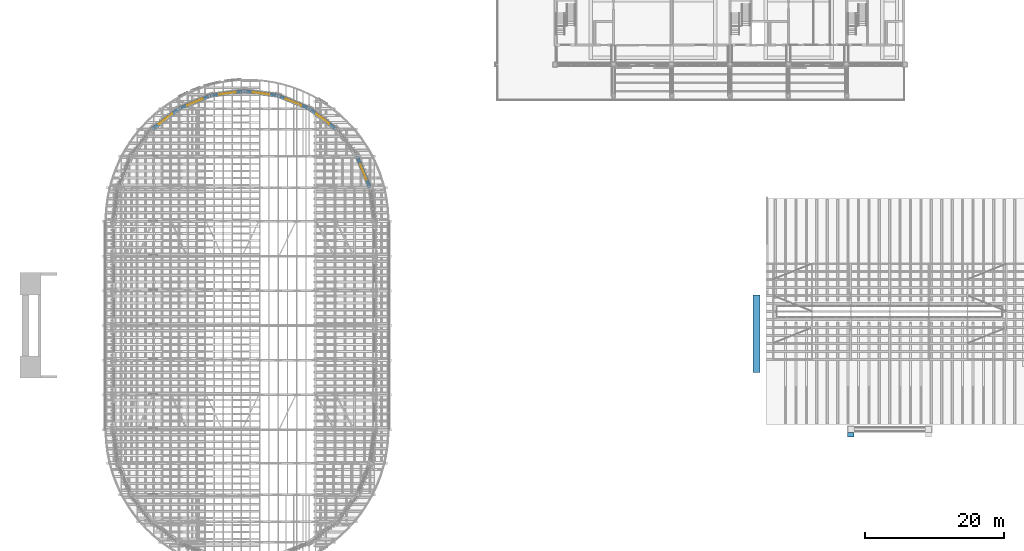
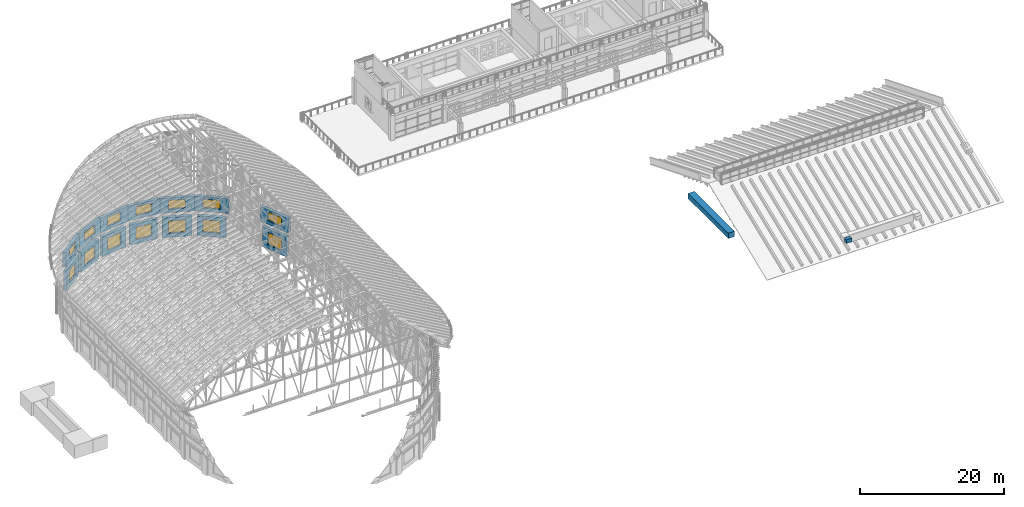
# One storey, part 57 of 105: 16 walls, 14 windows, 14 openings.
"""IFC4 building model written with IfcOpenShell, lengths in metres."""

import ifcopenshell
import ifcopenshell.guid

model = None  # the IFC model being written
_history = None  # IfcOwnerHistory: only IFC2X3 demands one
_inside = {}  # id of a spatial element -> (the spatial element, [elements in it])
_under = {}  # id of a project, library or spatial element -> (it, [spatial elements below it])
_declared = {}  # id of a project -> (the project, [libraries it declares])
_typed = {}  # id of a type object -> (the type object, [elements of that type])
_made_of = {}  # id of a material, layer set ... -> (it, [elements and type objects made of it])


def new_model(schema):
    """Start an empty IFC model of exactly this schema.

    Asked for "IFC4X3", IfcOpenShell would pick the latest addendum, in which some entities
    have other attributes; the version numbers below select the first issue.
    IFC2X3 requires an IfcOwnerHistory on every rooted entity: one is made here for all.
    """
    global model, _history
    if schema == "IFC4X3":
        model = ifcopenshell.file(schema_version=(4, 3, 0, 0))
    else:
        model = ifcopenshell.file(schema=schema)
    _inside.clear()
    _under.clear()
    _declared.clear()
    _typed.clear()
    _made_of.clear()
    _history = None
    if model.schema == "IFC2X3":
        org = make("IfcOrganization", Name="unknown")
        user = make(
            "IfcPersonAndOrganization",
            ThePerson=make("IfcPerson", FamilyName="unknown"),
            TheOrganization=org,
        )
        app = make(
            "IfcApplication",
            ApplicationDeveloper=org,
            Version="unknown",
            ApplicationFullName="unknown",
            ApplicationIdentifier="unknown",
        )
        _history = make(
            "IfcOwnerHistory",
            OwningUser=user,
            OwningApplication=app,
            ChangeAction="ADDED",
            CreationDate=0,
        )
    return model


def make(cls, **values):
    """One entity of the class cls with the attributes given. An attribute that is None is left unset."""
    return model.create_entity(
        cls, **{name: value for name, value in values.items() if value is not None}
    )


def rooted(cls, **values):
    """An entity with a GlobalId (a new one), such as an element, a storey or a relation."""
    return make(cls, GlobalId=ifcopenshell.guid.new(), OwnerHistory=_history, **values)


def si_unit(unit_type, name, prefix=None):
    """IfcSIUnit, for example si_unit("LENGTHUNIT", "METRE", prefix="MILLI")."""
    return make("IfcSIUnit", UnitType=unit_type, Prefix=prefix, Name=name)


def assignment(units):
    """IfcUnitAssignment: the units of a project."""
    return None if units is None else make("IfcUnitAssignment", Units=units)


def point(xyz):
    """IfcCartesianPoint."""
    return None if xyz is None else make("IfcCartesianPoint", Coordinates=xyz)


def direction(xyz):
    """IfcDirection."""
    return None if xyz is None else make("IfcDirection", DirectionRatios=xyz)


def frame(location, z_axis=None, x_axis=None):
    """IfcAxis2Placement3D, a coordinate frame: its origin and axes. An axis left out is left unset."""
    return make(
        "IfcAxis2Placement3D",
        Location=point(location),
        Axis=direction(z_axis),
        RefDirection=direction(x_axis),
    )


def frame_2d(location, x_axis=None):
    """IfcAxis2Placement2D, a coordinate frame in the plane: its origin and x axis."""
    return make(
        "IfcAxis2Placement2D", Location=point(location), RefDirection=direction(x_axis)
    )


def origin():
    """The frame at (0, 0, 0) with its axes left unset."""
    return frame((0.0, 0.0, 0.0))


def place(relative_to, where):
    """IfcLocalPlacement: puts the frame where relative to a parent placement (None: the world)."""
    return make(
        "IfcLocalPlacement", PlacementRelTo=relative_to, RelativePlacement=where
    )


def context(
    kind, dimensions, precision=None, world=None, true_north=None, identifier=None
):
    """IfcGeometricRepresentationContext, for example the 3D "Model" context."""
    return make(
        "IfcGeometricRepresentationContext",
        ContextIdentifier=identifier,
        ContextType=kind,
        CoordinateSpaceDimension=dimensions,
        Precision=precision,
        WorldCoordinateSystem=world,
        TrueNorth=true_north,
    )


def subcontext(parent, identifier, kind, view, scale=None):
    """IfcGeometricRepresentationSubContext, for example "Body" below "Model"."""
    return make(
        "IfcGeometricRepresentationSubContext",
        ContextIdentifier=identifier,
        ContextType=kind,
        ParentContext=parent,
        TargetScale=scale,
        TargetView=view,
    )


def project(units=None, contexts=None):
    """IfcProject with its units and contexts."""
    return rooted(
        "IfcProject",
        Name="project",
        RepresentationContexts=contexts,
        UnitsInContext=assignment(units),
    )


def spatial(cls, under=None, at=None, **own):
    """A site, building, storey or space (cls), placed at a placement, below another one or the project."""
    s = rooted(cls, ObjectPlacement=at, **own)
    if under is not None:
        _under.setdefault(under.id(), (under, []))[1].append(s)
    return s


def profile(cls, at=None, kind="AREA", **sizes):
    """A parametric profile (cls). Its sizes go by their IFC names, for example OverallWidth=200.0."""
    return make(cls, ProfileType=kind, Position=at, **sizes)


def rectangle(**sizes):
    """IfcRectangleProfileDef."""
    return profile("IfcRectangleProfileDef", **sizes)


def extrude(swept, where, along, depth):
    """IfcExtrudedAreaSolid: the profile swept, set in the frame where, extruded along a direction by depth."""
    return make(
        "IfcExtrudedAreaSolid",
        SweptArea=swept,
        Position=where,
        ExtrudedDirection=direction(along),
        Depth=depth,
    )


def shape(context_of_items, identifier, shape_type, items):
    """IfcShapeRepresentation: the items that make up one representation, for example the "Body"."""
    return make(
        "IfcShapeRepresentation",
        ContextOfItems=context_of_items,
        RepresentationIdentifier=identifier,
        RepresentationType=shape_type,
        Items=items,
    )


def material(Name=None, Category=None):
    """IfcMaterial."""
    return make("IfcMaterial", Name=Name, Category=Category)


def layer(
    of_material, thickness, ventilated=None, Name=None, Category=None, Priority=None
):
    """IfcMaterialLayer: one layer of a wall or slab, of a material (None: an air gap)."""
    return make(
        "IfcMaterialLayer",
        Material=of_material,
        LayerThickness=thickness,
        IsVentilated=ventilated,
        Name=Name,
        Category=Category,
        Priority=Priority,
    )


def layer_set(layers, Name=None):
    """IfcMaterialLayerSet."""
    return make("IfcMaterialLayerSet", MaterialLayers=layers, LayerSetName=Name)


def made_of(thing, what):
    """Note that an element or type object is made of a material, layer set ...; save() writes the relation."""
    if what is not None:
        _made_of.setdefault(what.id(), (what, []))[1].append(thing)
    return thing


def type_object(cls, material=None, **own):
    """A type object (cls), such as IfcWallType, which elements share."""
    return made_of(rooted(cls, **own), material)


def element(
    cls,
    number,
    at=None,
    inside=None,
    cuts=None,
    type_object=None,
    material=None,
    context=None,
    identifier="Body",
    shape_type=None,
    held_by="IfcProductDefinitionShape",
    body=None,
    shapes=None,
    **own,
):
    """One element of the class cls, such as IfcWall. Its Tag is "e" and its number.

    at: its placement. inside: the storey or other place that contains it. cuts: it is an
    opening in that element (IfcRelVoidsElement). A single representation is given by context,
    identifier, shape_type and body (its items); several are given by shapes. held_by: the class
    of the entity that holds the representations. save() writes the other relations.
    """
    e = rooted(cls, Tag="e%d" % number, ObjectPlacement=at, **own)
    if body is not None:
        shapes = [shape(context, identifier, shape_type, body)]
    if shapes is not None:
        e.Representation = make(held_by, Representations=shapes)
    if inside is not None:
        _inside.setdefault(inside.id(), (inside, []))[1].append(e)
    if cuts is not None:
        rooted(
            "IfcRelVoidsElement", RelatingBuildingElement=cuts, RelatedOpeningElement=e
        )
    if type_object is not None:
        _typed.setdefault(type_object.id(), (type_object, []))[1].append(e)
    return made_of(e, material)


def fill(opening, filler):
    """IfcRelFillsElement: the door or window that sits in an opening."""
    return rooted(
        "IfcRelFillsElement",
        RelatingOpeningElement=opening,
        RelatedBuildingElement=filler,
    )


def aggregate(whole, parts):
    """IfcRelAggregates: a whole, such as a stair, and the parts it consists of."""
    return rooted("IfcRelAggregates", RelatingObject=whole, RelatedObjects=parts)


def save(model, path):
    """Write the relations noted so far, then the file.

    IfcRelAggregates (storeys below a building ...), IfcRelContainedInSpatialStructure (elements
    in a storey), IfcRelDefinesByType, IfcRelAssociatesMaterial and IfcRelDeclares: one each for
    every whole, place, type object, material and project.
    """
    for whole, parts in _under.values():
        aggregate(whole, parts)
    for where, things in _inside.values():
        rooted(
            "IfcRelContainedInSpatialStructure",
            RelatedElements=things,
            RelatingStructure=where,
        )
    for kind, things in _typed.values():
        rooted("IfcRelDefinesByType", RelatedObjects=things, RelatingType=kind)
    for what, things in _made_of.values():
        rooted("IfcRelAssociatesMaterial", RelatedObjects=things, RelatingMaterial=what)
    for by, libraries in _declared.values():
        rooted("IfcRelDeclares", RelatingContext=by, RelatedDefinitions=libraries)
    model.write(path)


model = new_model("IFC4")

# Units and contexts
model_context = context("Model", 3, precision=1e-05, world=origin(), true_north=direction((0.0, 1.0)))
body_context = subcontext(model_context, "Body", "Model", "MODEL_VIEW")
ifc_project = project(units=[si_unit("LENGTHUNIT", "METRE"), si_unit("AREAUNIT", "SQUARE_METRE"), si_unit("VOLUMEUNIT", "CUBIC_METRE"), si_unit("PLANEANGLEUNIT", "RADIAN"), si_unit("MASSUNIT", "GRAM", prefix="KILO")], contexts=[model_context])

# Site, building, storey
site_placement = place(None, origin())
site = spatial("IfcSite", under=ifc_project, at=site_placement, CompositionType="ELEMENT")
building_placement = place(site_placement, origin())
building = spatial("IfcBuilding", under=site, at=building_placement, Name="Wasatch Bagh Community Centre", CompositionType="ELEMENT")
storey_placement = place(building_placement, frame((0.0, 0.0, 16.800048828125)))
storey = spatial("IfcBuildingStorey", under=building, at=storey_placement, Name="L04", CompositionType="ELEMENT", Elevation=16.800048828125)

# Wall
ifc_material_1 = material(Name="Concrete C40", Category="concrete")
ifc_layer_1 = layer(ifc_material_1, 0.60009765625)
ifc_layer_set_1 = layer_set([ifc_layer_1], Name="Concrete C40")
wall_type_1 = type_object("IfcWallType", Name="CL-W4", PredefinedType="STANDARD", material=ifc_layer_set_1)
wall_1_placement = place(storey_placement, frame((122.949951171875, 34.25, 0.0), z_axis=(0.0, 0.0, 1.0), x_axis=(1.0, 0.0, 0.0)))
element("IfcWall", 1, at=wall_1_placement, inside=storey, type_object=wall_type_1, Name="CL-W4 pier buttress SHP1", PredefinedType="STANDARD", context=body_context, shape_type="SweptSolid", body=[
    extrude(rectangle(XDim=0.900146484375, YDim=0.60009765625, at=frame_2d((0.4501953125, 0.0))), origin(), (0.0, 0.0, 1.0), 0.599853515625),
])

# Wall, opening, window
ifc_layer_2 = layer(ifc_material_1, 0.5)
ifc_layer_set_2 = layer_set([ifc_layer_2], Name="Concrete C40")
wall_type_2 = type_object("IfcWallType", Name="MH wall RC WALL 500", PredefinedType="SHEAR", material=ifc_layer_set_2)
wall_2_placement = place(storey_placement, frame((53.963134765625, 70.2099609375, 0.0), z_axis=(0.0, 0.0, 1.0), x_axis=(-0.382688328955, 0.923877504262, 0.0)))
wall_2 = element("IfcWall", 2, at=wall_2_placement, inside=storey, type_object=wall_type_2, Name="Capsule wall 20", PredefinedType="SHEAR", context=body_context, shape_type="SweptSolid", body=[
    extrude(rectangle(XDim=4.121826171875, YDim=0.5, at=frame_2d((2.06103515625, 0.0))), origin(), (0.0, 0.0, 1.0), 3.39990234375),
])
opening_1_placement = place(wall_2_placement, frame((0.86083984375, 0.0, 0.699951171875)))
opening_1 = element("IfcOpeningElement", 3, at=opening_1_placement, cuts=wall_2, Name="Opening 0M-W20", PredefinedType="OPENING", context=body_context, shape_type="SweptSolid", body=[
    extrude(rectangle(XDim=2.39990234375, YDim=2.10009765625, at=frame_2d((1.199951171875, 1.050048828125))), frame((0.0, 0.260009765625, 0.0), z_axis=(0.0, -1.0, 0.0), x_axis=(1.0, 0.0, 0.0)), (0.0, 0.0, 1.0), 0.52001953125),
])
ifc_material_2 = material(Name="Aluminium frame with low-iron insulated glass", Category="aluminium")
window_type_1 = type_object("IfcWindowType", Name="MH clerestory window W5", PartitioningType="SINGLE_PANEL", PredefinedType="WINDOW", material=ifc_material_2)
window_1_placement = place(opening_1_placement, origin())
window_1 = element("IfcWindow", 4, at=window_1_placement, inside=storey, type_object=window_type_1, Name="Window 0M-W20", OverallHeight=2.10009765625, OverallWidth=2.39990234375, PartitioningType="SINGLE_PANEL", PredefinedType="WINDOW", context=body_context, shape_type="SweptSolid", body=[
    extrude(rectangle(XDim=2.39990234375, YDim=2.10009765625, at=frame_2d((1.199951171875, 1.050048828125))), frame((0.0, 0.030029296875, 0.0), z_axis=(0.0, -1.0, 0.0), x_axis=(1.0, 0.0, 0.0)), (0.0, 0.0, 1.0), 0.06005859375),
])
fill(opening_1, window_1)

wall_3_placement = place(storey_placement, frame((48.95166015625, 78.493408203125, 0.0), z_axis=(0.0, 0.0, 1.0), x_axis=(-0.793341258985, 0.60877717335, 0.0)))
wall_3 = element("IfcWall", 5, at=wall_3_placement, inside=storey, type_object=wall_type_2, Name="Capsule wall 22", PredefinedType="SHEAR", context=body_context, shape_type="SweptSolid", body=[
    extrude(rectangle(XDim=4.121826171875, YDim=0.5, at=frame_2d((2.06103515625, 0.0))), origin(), (0.0, 0.0, 1.0), 3.39990234375),
])
opening_2_placement = place(wall_3_placement, frame((0.86083984375, 0.0, 0.699951171875)))
opening_2 = element("IfcOpeningElement", 6, at=opening_2_placement, cuts=wall_3, Name="Opening 0M-W22", PredefinedType="OPENING", context=body_context, shape_type="SweptSolid", body=[
    extrude(rectangle(XDim=2.39990234375, YDim=2.10009765625, at=frame_2d((1.199951171875, 1.050048828125))), frame((0.0, 0.260009765625, 0.0), z_axis=(0.0, -1.0, 0.0), x_axis=(1.0, 0.0, 0.0)), (0.0, 0.0, 1.0), 0.52001953125),
])
window_2_placement = place(opening_2_placement, origin())
window_2 = element("IfcWindow", 7, at=window_2_placement, inside=storey, type_object=window_type_1, Name="Window 0M-W22", OverallHeight=2.10009765625, OverallWidth=2.39990234375, PartitioningType="SINGLE_PANEL", PredefinedType="WINDOW", context=body_context, shape_type="SweptSolid", body=[
    extrude(rectangle(XDim=2.39990234375, YDim=2.10009765625, at=frame_2d((1.199951171875, 1.050048828125))), frame((0.0, 0.030029296875, 0.0), z_axis=(0.0, -1.0, 0.0), x_axis=(1.0, 0.0, 0.0)), (0.0, 0.0, 1.0), 0.06005859375),
])
fill(opening_2, window_2)

wall_4_placement = place(storey_placement, frame((45.01806640625, 81.3857421875, 0.0), z_axis=(0.0, 0.0, 1.0), x_axis=(-0.923877504262, 0.382688328955, 0.0)))
wall_4 = element("IfcWall", 8, at=wall_4_placement, inside=storey, type_object=wall_type_2, Name="Capsule wall 23", PredefinedType="SHEAR", context=body_context, shape_type="SweptSolid", body=[
    extrude(rectangle(XDim=4.121826171875, YDim=0.5, at=frame_2d((2.06103515625, 0.0))), origin(), (0.0, 0.0, 1.0), 3.39990234375),
])
opening_3_placement = place(wall_4_placement, frame((0.86083984375, 0.0, 0.699951171875)))
opening_3 = element("IfcOpeningElement", 9, at=opening_3_placement, cuts=wall_4, Name="Opening 0M-W23", PredefinedType="OPENING", context=body_context, shape_type="SweptSolid", body=[
    extrude(rectangle(XDim=2.39990234375, YDim=2.10009765625, at=frame_2d((1.199951171875, 1.050048828125))), frame((0.0, 0.260009765625, 0.0), z_axis=(0.0, -1.0, 0.0), x_axis=(1.0, 0.0, 0.0)), (0.0, 0.0, 1.0), 0.52001953125),
])
window_3_placement = place(opening_3_placement, origin())
window_3 = element("IfcWindow", 10, at=window_3_placement, inside=storey, type_object=window_type_1, Name="Window 0M-W23", OverallHeight=2.10009765625, OverallWidth=2.39990234375, PartitioningType="SINGLE_PANEL", PredefinedType="WINDOW", context=body_context, shape_type="SweptSolid", body=[
    extrude(rectangle(XDim=2.39990234375, YDim=2.10009765625, at=frame_2d((1.199951171875, 1.050048828125))), frame((0.0, 0.030029296875, 0.0), z_axis=(0.0, -1.0, 0.0), x_axis=(1.0, 0.0, 0.0)), (0.0, 0.0, 1.0), 0.06005859375),
])
fill(opening_3, window_3)

wall_5_placement = place(storey_placement, frame((40.4697265625, 83.16162109375, 0.0), z_axis=(0.0, 0.0, 1.0), x_axis=(-0.991450464722, 0.130483623501, 0.0)))
wall_5 = element("IfcWall", 11, at=wall_5_placement, inside=storey, type_object=wall_type_2, Name="Capsule wall 24", PredefinedType="SHEAR", context=body_context, shape_type="SweptSolid", body=[
    extrude(rectangle(XDim=4.121826171875, YDim=0.5, at=frame_2d((2.06103515625, 0.0))), origin(), (0.0, 0.0, 1.0), 3.39990234375),
])
opening_4_placement = place(wall_5_placement, frame((0.86083984375, 0.0, 0.699951171875)))
opening_4 = element("IfcOpeningElement", 12, at=opening_4_placement, cuts=wall_5, Name="Opening 0M-W24", PredefinedType="OPENING", context=body_context, shape_type="SweptSolid", body=[
    extrude(rectangle(XDim=2.39990234375, YDim=2.10009765625, at=frame_2d((1.199951171875, 1.050048828125))), frame((0.0, 0.260009765625, 0.0), z_axis=(0.0, -1.0, 0.0), x_axis=(1.0, 0.0, 0.0)), (0.0, 0.0, 1.0), 0.52001953125),
])
window_4_placement = place(opening_4_placement, origin())
window_4 = element("IfcWindow", 13, at=window_4_placement, inside=storey, type_object=window_type_1, Name="Window 0M-W24", OverallHeight=2.10009765625, OverallWidth=2.39990234375, PartitioningType="SINGLE_PANEL", PredefinedType="WINDOW", context=body_context, shape_type="SweptSolid", body=[
    extrude(rectangle(XDim=2.39990234375, YDim=2.10009765625, at=frame_2d((1.199951171875, 1.050048828125))), frame((0.0, 0.030029296875, 0.0), z_axis=(0.0, -1.0, 0.0), x_axis=(1.0, 0.0, 0.0)), (0.0, 0.0, 1.0), 0.06005859375),
])
fill(opening_4, window_4)

wall_6_placement = place(storey_placement, frame((35.616943359375, 83.699462890625, 0.0), z_axis=(0.0, 0.0, 1.0), x_axis=(-0.991450464722, -0.130483623501, 0.0)))
wall_6 = element("IfcWall", 14, at=wall_6_placement, inside=storey, type_object=wall_type_2, Name="Capsule wall 25", PredefinedType="SHEAR", context=body_context, shape_type="SweptSolid", body=[
    extrude(rectangle(XDim=4.121826171875, YDim=0.5, at=frame_2d((2.06103515625, 0.0))), origin(), (0.0, 0.0, 1.0), 3.39990234375),
])
opening_5_placement = place(wall_6_placement, frame((0.86083984375, 0.0, 0.699951171875)))
opening_5 = element("IfcOpeningElement", 15, at=opening_5_placement, cuts=wall_6, Name="Opening 0M-W25", PredefinedType="OPENING", context=body_context, shape_type="SweptSolid", body=[
    extrude(rectangle(XDim=2.39990234375, YDim=2.10009765625, at=frame_2d((1.199951171875, 1.050048828125))), frame((0.0, 0.260009765625, 0.0), z_axis=(0.0, -1.0, 0.0), x_axis=(1.0, 0.0, 0.0)), (0.0, 0.0, 1.0), 0.52001953125),
])
window_5_placement = place(opening_5_placement, origin())
window_5 = element("IfcWindow", 16, at=window_5_placement, inside=storey, type_object=window_type_1, Name="Window 0M-W25", OverallHeight=2.10009765625, OverallWidth=2.39990234375, PartitioningType="SINGLE_PANEL", PredefinedType="WINDOW", context=body_context, shape_type="SweptSolid", body=[
    extrude(rectangle(XDim=2.39990234375, YDim=2.10009765625, at=frame_2d((1.199951171875, 1.050048828125))), frame((0.0, 0.030029296875, 0.0), z_axis=(0.0, -1.0, 0.0), x_axis=(1.0, 0.0, 0.0)), (0.0, 0.0, 1.0), 0.06005859375),
])
fill(opening_5, window_5)

wall_7_placement = place(storey_placement, frame((30.7900390625, 82.963134765625, 0.0), z_axis=(0.0, 0.0, 1.0), x_axis=(-0.923877504262, -0.382688328955, 0.0)))
wall_7 = element("IfcWall", 17, at=wall_7_placement, inside=storey, type_object=wall_type_2, Name="Capsule wall 26", PredefinedType="SHEAR", context=body_context, shape_type="SweptSolid", body=[
    extrude(rectangle(XDim=4.121826171875, YDim=0.5, at=frame_2d((2.06103515625, 0.0))), origin(), (0.0, 0.0, 1.0), 3.39990234375),
])
opening_6_placement = place(wall_7_placement, frame((0.86083984375, 0.0, 0.699951171875)))
opening_6 = element("IfcOpeningElement", 18, at=opening_6_placement, cuts=wall_7, Name="Opening 0M-W26", PredefinedType="OPENING", context=body_context, shape_type="SweptSolid", body=[
    extrude(rectangle(XDim=2.39990234375, YDim=2.10009765625, at=frame_2d((1.199951171875, 1.050048828125))), frame((0.0, 0.260009765625, 0.0), z_axis=(0.0, -1.0, 0.0), x_axis=(1.0, 0.0, 0.0)), (0.0, 0.0, 1.0), 0.52001953125),
])
window_6_placement = place(opening_6_placement, origin())
window_6 = element("IfcWindow", 19, at=window_6_placement, inside=storey, type_object=window_type_1, Name="Window 0M-W26", OverallHeight=2.10009765625, OverallWidth=2.39990234375, PartitioningType="SINGLE_PANEL", PredefinedType="WINDOW", context=body_context, shape_type="SweptSolid", body=[
    extrude(rectangle(XDim=2.39990234375, YDim=2.10009765625, at=frame_2d((1.199951171875, 1.050048828125))), frame((0.0, 0.030029296875, 0.0), z_axis=(0.0, -1.0, 0.0), x_axis=(1.0, 0.0, 0.0)), (0.0, 0.0, 1.0), 0.06005859375),
])
fill(opening_6, window_6)

wall_8_placement = place(storey_placement, frame((26.318359375, 81.002685546875, 0.0), z_axis=(0.0, 0.0, 1.0), x_axis=(-0.793341258985, -0.60877717335, 0.0)))
wall_8 = element("IfcWall", 20, at=wall_8_placement, inside=storey, type_object=wall_type_2, Name="Capsule wall 27", PredefinedType="SHEAR", context=body_context, shape_type="SweptSolid", body=[
    extrude(rectangle(XDim=4.121826171875, YDim=0.5, at=frame_2d((2.06103515625, 0.0))), origin(), (0.0, 0.0, 1.0), 3.39990234375),
])
opening_7_placement = place(wall_8_placement, frame((0.86083984375, 0.0, 0.699951171875)))
opening_7 = element("IfcOpeningElement", 21, at=opening_7_placement, cuts=wall_8, Name="Opening 0M-W27", PredefinedType="OPENING", context=body_context, shape_type="SweptSolid", body=[
    extrude(rectangle(XDim=2.39990234375, YDim=2.10009765625, at=frame_2d((1.199951171875, 1.050048828125))), frame((0.0, 0.260009765625, 0.0), z_axis=(0.0, -1.0, 0.0), x_axis=(1.0, 0.0, 0.0)), (0.0, 0.0, 1.0), 0.52001953125),
])
window_7_placement = place(opening_7_placement, origin())
window_7 = element("IfcWindow", 22, at=window_7_placement, inside=storey, type_object=window_type_1, Name="Window 0M-W27", OverallHeight=2.10009765625, OverallWidth=2.39990234375, PartitioningType="SINGLE_PANEL", PredefinedType="WINDOW", context=body_context, shape_type="SweptSolid", body=[
    extrude(rectangle(XDim=2.39990234375, YDim=2.10009765625, at=frame_2d((1.199951171875, 1.050048828125))), frame((0.0, 0.030029296875, 0.0), z_axis=(0.0, -1.0, 0.0), x_axis=(1.0, 0.0, 0.0)), (0.0, 0.0, 1.0), 0.06005859375),
])
fill(opening_7, window_7)

wall_9_placement = place(storey_placement, frame((54.111083984375, 69.852783203125, 4.199951171875), z_axis=(0.0, 0.0, 1.0), x_axis=(-0.382663090012, 0.923887958328, 0.0)))
wall_9 = element("IfcWall", 23, at=wall_9_placement, inside=storey, type_object=wall_type_2, Name="Capsule wall 20 upper", PredefinedType="SHEAR", context=body_context, shape_type="SweptSolid", body=[
    extrude(rectangle(XDim=4.894775390625, YDim=0.5, at=frame_2d((2.447265625, 0.0))), origin(), (0.0, 0.0, 1.0), 2.5),
])
opening_8_placement = place(wall_9_placement, frame((1.247314453125, 0.0, 0.60009765625)))
opening_8 = element("IfcOpeningElement", 24, at=opening_8_placement, cuts=wall_9, Name="Opening 0M-W20", PredefinedType="OPENING", context=body_context, shape_type="SweptSolid", body=[
    extrude(rectangle(XDim=2.39990234375, YDim=1.5, at=frame_2d((1.199951171875, 0.75))), frame((0.0, 0.260009765625, 0.0), z_axis=(0.0, -1.0, 0.0), x_axis=(1.0, 0.0, 0.0)), (0.0, 0.0, 1.0), 0.52001953125),
])
window_type_2 = type_object("IfcWindowType", Name="MH clerestory window W1", PartitioningType="SINGLE_PANEL", PredefinedType="WINDOW", material=ifc_material_2)
window_8_placement = place(opening_8_placement, origin())
window_8 = element("IfcWindow", 25, at=window_8_placement, inside=storey, type_object=window_type_2, Name="Window 0M-W20", OverallHeight=1.5, OverallWidth=2.39990234375, PartitioningType="SINGLE_PANEL", PredefinedType="WINDOW", context=body_context, shape_type="SweptSolid", body=[
    extrude(rectangle(XDim=2.39990234375, YDim=1.5, at=frame_2d((1.199951171875, 0.75))), frame((0.0, 0.030029296875, 0.0), z_axis=(0.0, -1.0, 0.0), x_axis=(1.0, 0.0, 0.0)), (0.0, 0.0, 1.0), 0.06005859375),
])
fill(opening_8, window_8)

wall_10_placement = place(storey_placement, frame((49.25830078125, 78.25830078125, 4.199951171875), z_axis=(0.0, 0.0, 1.0), x_axis=(-0.793355823169, 0.608758193246, 0.0)))
wall_10 = element("IfcWall", 26, at=wall_10_placement, inside=storey, type_object=wall_type_2, Name="Capsule wall 22 upper", PredefinedType="SHEAR", context=body_context, shape_type="SweptSolid", body=[
    extrude(rectangle(XDim=4.894775390625, YDim=0.5, at=frame_2d((2.447265625, 0.0))), origin(), (0.0, 0.0, 1.0), 2.5),
])
opening_9_placement = place(wall_10_placement, frame((1.247314453125, 0.0, 0.60009765625)))
opening_9 = element("IfcOpeningElement", 27, at=opening_9_placement, cuts=wall_10, Name="Opening 0M-W22", PredefinedType="OPENING", context=body_context, shape_type="SweptSolid", body=[
    extrude(rectangle(XDim=2.39990234375, YDim=1.5, at=frame_2d((1.199951171875, 0.75))), frame((0.0, 0.260009765625, 0.0), z_axis=(0.0, -1.0, 0.0), x_axis=(1.0, 0.0, 0.0)), (0.0, 0.0, 1.0), 0.52001953125),
])
window_9_placement = place(opening_9_placement, origin())
window_9 = element("IfcWindow", 28, at=window_9_placement, inside=storey, type_object=window_type_2, Name="Window 0M-W22", OverallHeight=1.5, OverallWidth=2.39990234375, PartitioningType="SINGLE_PANEL", PredefinedType="WINDOW", context=body_context, shape_type="SweptSolid", body=[
    extrude(rectangle(XDim=2.39990234375, YDim=1.5, at=frame_2d((1.199951171875, 0.75))), frame((0.0, 0.030029296875, 0.0), z_axis=(0.0, -1.0, 0.0), x_axis=(1.0, 0.0, 0.0)), (0.0, 0.0, 1.0), 0.06005859375),
])
fill(opening_9, window_9)

wall_11_placement = place(storey_placement, frame((45.375, 81.238037109375, 4.199951171875), z_axis=(0.0, 0.0, 1.0), x_axis=(-0.923887958328, 0.382663090012, 0.0)))
wall_11 = element("IfcWall", 29, at=wall_11_placement, inside=storey, type_object=wall_type_2, Name="Capsule wall 23 upper", PredefinedType="SHEAR", context=body_context, shape_type="SweptSolid", body=[
    extrude(rectangle(XDim=4.894775390625, YDim=0.5, at=frame_2d((2.447265625, 0.0))), origin(), (0.0, 0.0, 1.0), 2.5),
])
opening_10_placement = place(wall_11_placement, frame((1.247314453125, 0.0, 0.60009765625)))
opening_10 = element("IfcOpeningElement", 30, at=opening_10_placement, cuts=wall_11, Name="Opening 0M-W23", PredefinedType="OPENING", context=body_context, shape_type="SweptSolid", body=[
    extrude(rectangle(XDim=2.39990234375, YDim=1.5, at=frame_2d((1.199951171875, 0.75))), frame((0.0, 0.260009765625, 0.0), z_axis=(0.0, -1.0, 0.0), x_axis=(1.0, 0.0, 0.0)), (0.0, 0.0, 1.0), 0.52001953125),
])
window_10_placement = place(opening_10_placement, origin())
window_10 = element("IfcWindow", 31, at=window_10_placement, inside=storey, type_object=window_type_2, Name="Window 0M-W23", OverallHeight=1.5, OverallWidth=2.39990234375, PartitioningType="SINGLE_PANEL", PredefinedType="WINDOW", context=body_context, shape_type="SweptSolid", body=[
    extrude(rectangle(XDim=2.39990234375, YDim=1.5, at=frame_2d((1.199951171875, 0.75))), frame((0.0, 0.030029296875, 0.0), z_axis=(0.0, -1.0, 0.0), x_axis=(1.0, 0.0, 0.0)), (0.0, 0.0, 1.0), 0.06005859375),
])
fill(opening_10, window_10)

wall_12_placement = place(storey_placement, frame((40.852783203125, 83.111083984375, 4.199951171875), z_axis=(0.0, 0.0, 1.0), x_axis=(-0.991443936339, 0.130533218363, 0.0)))
wall_12 = element("IfcWall", 32, at=wall_12_placement, inside=storey, type_object=wall_type_2, Name="Capsule wall 24 upper", PredefinedType="SHEAR", context=body_context, shape_type="SweptSolid", body=[
    extrude(rectangle(XDim=4.894775390625, YDim=0.5, at=frame_2d((2.447265625, 0.0))), origin(), (0.0, 0.0, 1.0), 2.5),
])
opening_11_placement = place(wall_12_placement, frame((1.247314453125, 0.0, 0.60009765625)))
opening_11 = element("IfcOpeningElement", 33, at=opening_11_placement, cuts=wall_12, Name="Opening 0M-W24", PredefinedType="OPENING", context=body_context, shape_type="SweptSolid", body=[
    extrude(rectangle(XDim=2.39990234375, YDim=1.5, at=frame_2d((1.199951171875, 0.75))), frame((0.0, 0.260009765625, 0.0), z_axis=(0.0, -1.0, 0.0), x_axis=(1.0, 0.0, 0.0)), (0.0, 0.0, 1.0), 0.52001953125),
])
window_11_placement = place(opening_11_placement, origin())
window_11 = element("IfcWindow", 34, at=window_11_placement, inside=storey, type_object=window_type_2, Name="Window 0M-W24", OverallHeight=1.5, OverallWidth=2.39990234375, PartitioningType="SINGLE_PANEL", PredefinedType="WINDOW", context=body_context, shape_type="SweptSolid", body=[
    extrude(rectangle(XDim=2.39990234375, YDim=1.5, at=frame_2d((1.199951171875, 0.75))), frame((0.0, 0.030029296875, 0.0), z_axis=(0.0, -1.0, 0.0), x_axis=(1.0, 0.0, 0.0)), (0.0, 0.0, 1.0), 0.06005859375),
])
fill(opening_11, window_11)

wall_13_placement = place(storey_placement, frame((36.0, 83.75, 4.199951171875), z_axis=(0.0, 0.0, 1.0), x_axis=(-0.991443936339, -0.130533218363, 0.0)))
wall_13 = element("IfcWall", 35, at=wall_13_placement, inside=storey, type_object=wall_type_2, Name="Capsule wall 25 upper", PredefinedType="SHEAR", context=body_context, shape_type="SweptSolid", body=[
    extrude(rectangle(XDim=4.894775390625, YDim=0.5, at=frame_2d((2.447265625, 0.0))), origin(), (0.0, 0.0, 1.0), 2.5),
])
opening_12_placement = place(wall_13_placement, frame((1.247314453125, 0.0, 0.60009765625)))
opening_12 = element("IfcOpeningElement", 36, at=opening_12_placement, cuts=wall_13, Name="Opening 0M-W25", PredefinedType="OPENING", context=body_context, shape_type="SweptSolid", body=[
    extrude(rectangle(XDim=2.39990234375, YDim=1.5, at=frame_2d((1.199951171875, 0.75))), frame((0.0, 0.260009765625, 0.0), z_axis=(0.0, -1.0, 0.0), x_axis=(1.0, 0.0, 0.0)), (0.0, 0.0, 1.0), 0.52001953125),
])
window_12_placement = place(opening_12_placement, origin())
window_12 = element("IfcWindow", 37, at=window_12_placement, inside=storey, type_object=window_type_2, Name="Window 0M-W25", OverallHeight=1.5, OverallWidth=2.39990234375, PartitioningType="SINGLE_PANEL", PredefinedType="WINDOW", context=body_context, shape_type="SweptSolid", body=[
    extrude(rectangle(XDim=2.39990234375, YDim=1.5, at=frame_2d((1.199951171875, 0.75))), frame((0.0, 0.030029296875, 0.0), z_axis=(0.0, -1.0, 0.0), x_axis=(1.0, 0.0, 0.0)), (0.0, 0.0, 1.0), 0.06005859375),
])
fill(opening_12, window_12)

wall_14_placement = place(storey_placement, frame((31.147216796875, 83.111083984375, 4.199951171875), z_axis=(0.0, 0.0, 1.0), x_axis=(-0.923887958328, -0.382663090012, 0.0)))
wall_14 = element("IfcWall", 38, at=wall_14_placement, inside=storey, type_object=wall_type_2, Name="Capsule wall 26 upper", PredefinedType="SHEAR", context=body_context, shape_type="SweptSolid", body=[
    extrude(rectangle(XDim=4.894775390625, YDim=0.5, at=frame_2d((2.447265625, 0.0))), origin(), (0.0, 0.0, 1.0), 2.5),
])
opening_13_placement = place(wall_14_placement, frame((1.247314453125, 0.0, 0.60009765625)))
opening_13 = element("IfcOpeningElement", 39, at=opening_13_placement, cuts=wall_14, Name="Opening 0M-W26", PredefinedType="OPENING", context=body_context, shape_type="SweptSolid", body=[
    extrude(rectangle(XDim=2.39990234375, YDim=1.5, at=frame_2d((1.199951171875, 0.75))), frame((0.0, 0.260009765625, 0.0), z_axis=(0.0, -1.0, 0.0), x_axis=(1.0, 0.0, 0.0)), (0.0, 0.0, 1.0), 0.52001953125),
])
window_13_placement = place(opening_13_placement, origin())
window_13 = element("IfcWindow", 40, at=window_13_placement, inside=storey, type_object=window_type_2, Name="Window 0M-W26", OverallHeight=1.5, OverallWidth=2.39990234375, PartitioningType="SINGLE_PANEL", PredefinedType="WINDOW", context=body_context, shape_type="SweptSolid", body=[
    extrude(rectangle(XDim=2.39990234375, YDim=1.5, at=frame_2d((1.199951171875, 0.75))), frame((0.0, 0.030029296875, 0.0), z_axis=(0.0, -1.0, 0.0), x_axis=(1.0, 0.0, 0.0)), (0.0, 0.0, 1.0), 0.06005859375),
])
fill(opening_13, window_13)

wall_15_placement = place(storey_placement, frame((26.625, 81.238037109375, 4.199951171875), z_axis=(0.0, 0.0, 1.0), x_axis=(-0.793355823169, -0.608758193246, 0.0)))
wall_15 = element("IfcWall", 41, at=wall_15_placement, inside=storey, type_object=wall_type_2, Name="Capsule wall 27 upper", PredefinedType="SHEAR", context=body_context, shape_type="SweptSolid", body=[
    extrude(rectangle(XDim=4.894775390625, YDim=0.5, at=frame_2d((2.447265625, 0.0))), origin(), (0.0, 0.0, 1.0), 2.5),
])
opening_14_placement = place(wall_15_placement, frame((1.247314453125, 0.0, 0.60009765625)))
opening_14 = element("IfcOpeningElement", 42, at=opening_14_placement, cuts=wall_15, Name="Opening 0M-W27", PredefinedType="OPENING", context=body_context, shape_type="SweptSolid", body=[
    extrude(rectangle(XDim=2.39990234375, YDim=1.5, at=frame_2d((1.199951171875, 0.75))), frame((0.0, 0.260009765625, 0.0), z_axis=(0.0, -1.0, 0.0), x_axis=(1.0, 0.0, 0.0)), (0.0, 0.0, 1.0), 0.52001953125),
])
window_14_placement = place(opening_14_placement, origin())
window_14 = element("IfcWindow", 43, at=window_14_placement, inside=storey, type_object=window_type_2, Name="Window 0M-W27", OverallHeight=1.5, OverallWidth=2.39990234375, PartitioningType="SINGLE_PANEL", PredefinedType="WINDOW", context=body_context, shape_type="SweptSolid", body=[
    extrude(rectangle(XDim=2.39990234375, YDim=1.5, at=frame_2d((1.199951171875, 0.75))), frame((0.0, 0.030029296875, 0.0), z_axis=(0.0, -1.0, 0.0), x_axis=(1.0, 0.0, 0.0)), (0.0, 0.0, 1.0), 0.06005859375),
])
fill(opening_14, window_14)

# Wall
ifc_layer_3 = layer(ifc_material_1, 1.0)
ifc_layer_set_3 = layer_set([ifc_layer_3], Name="Concrete C40")
wall_type_3 = type_object("IfcWallType", Name="SHPQ-W4", PredefinedType="STANDARD", material=ifc_layer_set_3)
wall_16_placement = place(storey_placement, frame((109.800048828125, 43.199951171875, 0.0), z_axis=(0.0, 0.0, 1.0), x_axis=(0.0, 1.0, 0.0)))
element("IfcWall", 44, at=wall_16_placement, inside=storey, type_object=wall_type_3, Name="SHPQ-W4 iwan cornice band", PredefinedType="STANDARD", context=body_context, shape_type="SweptSolid", body=[
    extrude(rectangle(XDim=11.199951171875, YDim=1.0, at=frame_2d((5.60009765625, 0.0))), origin(), (0.0, 0.0, 1.0), 0.89990234375),
])

save(model, "model.ifc")
